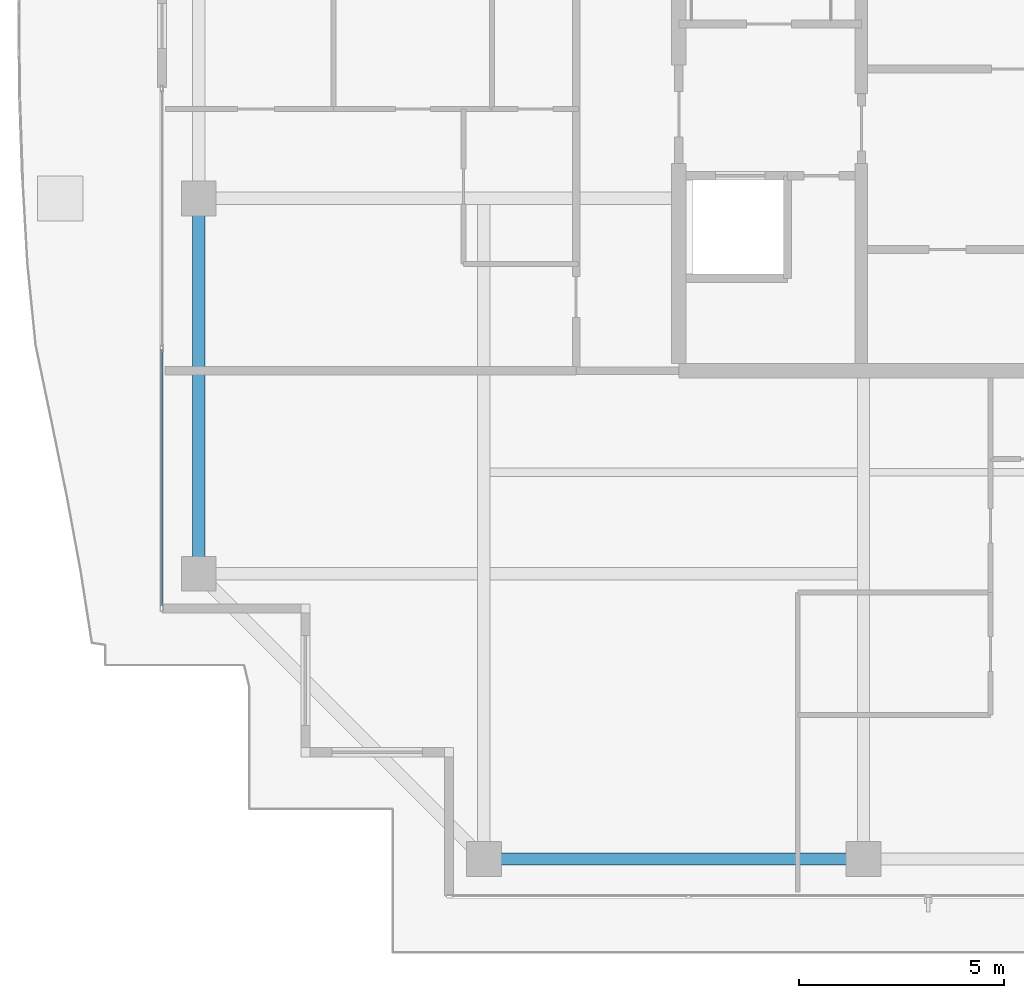
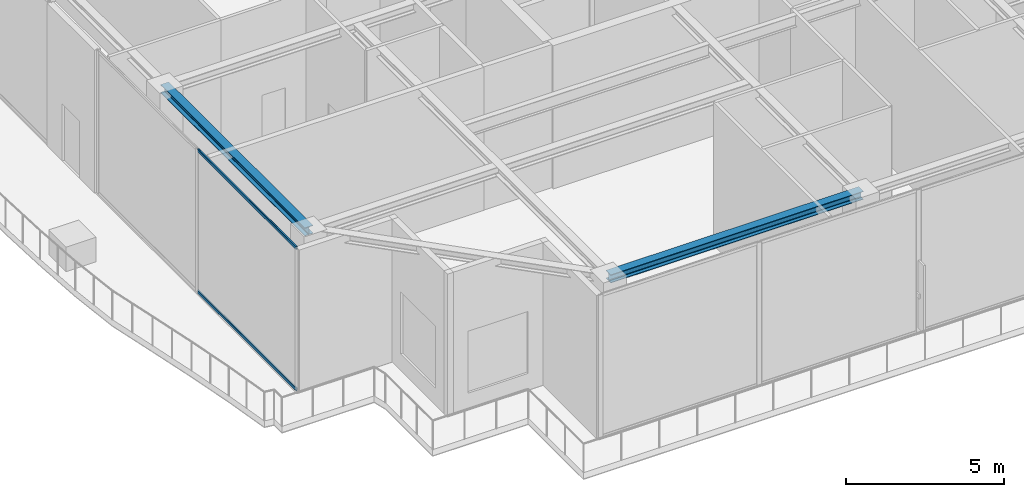
# One storey, part 3 of 38: 2 beams, 2 members, 1 element without a shape of its own.
"""IFC4 building model written with IfcOpenShell, lengths in metres."""

from ifc_helpers import new_model, si_unit, direction, frame, origin, origin_2d, place, context, subcontext, project, spatial, hollow_rectangle, i_section, extrude, source, transform, mapped, material, layer, layer_set, material_profile, profile_set, type_object, element, aggregate, save


model = new_model("IFC4")

# Units and contexts
model_context = context("Model", 3, precision=1e-05, world=origin(), true_north=direction((0.0, 1.0)))
body_context = subcontext(model_context, "Body", "Model", "MODEL_VIEW")
ifc_project = project(units=[si_unit("LENGTHUNIT", "METRE"), si_unit("AREAUNIT", "SQUARE_METRE"), si_unit("VOLUMEUNIT", "CUBIC_METRE"), si_unit("PLANEANGLEUNIT", "RADIAN"), si_unit("MASSUNIT", "GRAM", prefix="KILO")], contexts=[model_context])

# Site, building, storey
site_placement = place(None, origin())
site = spatial("IfcSite", under=ifc_project, at=site_placement, CompositionType="ELEMENT")
building_placement = place(site_placement, origin())
building = spatial("IfcBuilding", under=site, at=building_placement, Name="Serunith Strait Residences", CompositionType="ELEMENT")
storey_placement = place(building_placement, frame((0.0, 0.0, 353.85009765625)))
storey = spatial("IfcBuildingStorey", under=building, at=storey_placement, Name="L87", CompositionType="ELEMENT", Elevation=353.85009765625)

# Beams
ifc_material_1 = material(Name="Steel S355J2", Category="steel")
ifc_material_profile_1 = material_profile(ifc_material_1, i_section(OverallWidth=0.300048828125, OverallDepth=0.320068359375, WebThickness=0.011474609375, FlangeThickness=0.0205078125, FilletRadius=0.027099609375, at=origin_2d()), Name="HEB 320")
ifc_profile_set_1 = profile_set([ifc_material_profile_1], Name="Steel S355J2")
beam_type = type_object("IfcBeamType", Name="BM-HEB320", PredefinedType="BEAM", material=ifc_profile_set_1)
shared_shape_1 = source(origin(), body_context, "Body", "SweptSolid", [
    extrude(i_section(OverallWidth=0.300048828125, OverallDepth=0.320068359375, WebThickness=0.011474609375, FlangeThickness=0.0205078125, FilletRadius=0.027099609375, at=origin_2d()), origin(), (0.0, 0.0, 1.0), 9.25),
])
beam_1_placement = place(storey_placement, frame((18.64990234375, 4.89990234375, 5.376953125), z_axis=(1.0, 0.0, 0.0), x_axis=(0.0, 1.0, 0.0)))
element("IfcBeam", 1, at=beam_1_placement, inside=storey, type_object=beam_type, Name="L87 Perimeter Ring Beam 01", PredefinedType="BEAM", context=body_context, shape_type="MappedRepresentation", body=[
    mapped(shared_shape_1, transform((0.0, 0.0, 0.0), scale=1.0)),
])
shared_shape_2 = source(origin(), body_context, "Body", "SweptSolid", [
    extrude(i_section(OverallWidth=0.300048828125, OverallDepth=0.320068359375, WebThickness=0.011474609375, FlangeThickness=0.0205078125, FilletRadius=0.027099609375, at=origin_2d()), origin(), (0.0, 0.0, 1.0), 9.14990234375),
])
beam_2_placement = place(storey_placement, frame((11.699951171875, 21.0, 5.376953125), z_axis=(0.0, -1.0, 0.0), x_axis=(1.0, 0.0, 0.0)))
element("IfcBeam", 2, at=beam_2_placement, inside=storey, type_object=beam_type, Name="L87 Perimeter Ring Beam 15", PredefinedType="BEAM", context=body_context, shape_type="MappedRepresentation", body=[
    mapped(shared_shape_2, transform((0.0, 0.0, 0.0), scale=1.0)),
])

# Curtain wall, members
ifc_material_2 = material(Name="Brushed Stainless-Silver Aluminium", Category="aluminium")
ifc_layer = layer(ifc_material_2, 0.199951171875, Name="Brushed Stainless-Silver Aluminium")
ifc_layer_set = layer_set([ifc_layer], Name="Brushed Stainless-Silver Aluminium")
curtain_wall_type = type_object("IfcCurtainWallType", Name="CW-SYS5", PredefinedType="NOTDEFINED", material=ifc_layer_set)
curtain_wall_placement = place(storey_placement, origin())
curtain_wall = element("IfcCurtainWall", 3, at=curtain_wall_placement, inside=storey, type_object=curtain_wall_type, Name="L87 W Unitised Fritted Curtain Wall", PredefinedType="NOTDEFINED")
ifc_material_profile_2 = material_profile(ifc_material_2, hollow_rectangle(XDim=0.06005859375, YDim=0.1201171875, WallThickness=0.00341796875, InnerFilletRadius=0.00537109375, OuterFilletRadius=0.0087890625, at=origin_2d()), Name="ALU 120x60x3.5")
ifc_profile_set_2 = profile_set([ifc_material_profile_2], Name="Brushed Stainless-Silver Aluminium")
member_type = type_object("IfcMemberType", Name="CW-SYS5-TRAN", PredefinedType="USERDEFINED", material=ifc_profile_set_2)
shared_shape_3 = source(origin(), body_context, "Body", "SweptSolid", [
    extrude(hollow_rectangle(XDim=0.06005859375, YDim=0.1201171875, WallThickness=0.00341796875, InnerFilletRadius=0.00537109375, OuterFilletRadius=0.0087890625, at=origin_2d()), origin(), (0.0, 0.0, 1.0), 6.25244140625),
])
member_1_placement = place(storey_placement, frame((10.800048828125, 17.3173828125, 0.02978515625), z_axis=(0.0, -1.0, 0.0), x_axis=(1.0, 0.0, 0.0)))
member_1 = element("IfcMember", 4, at=member_1_placement, type_object=member_type, Name="CW-5 transom 2.1", ObjectType="TRANSOM", PredefinedType="USERDEFINED", context=body_context, shape_type="MappedRepresentation", body=[
    mapped(shared_shape_3, transform((0.0, 0.0, 0.0), scale=1.0)),
])
member_2_placement = place(storey_placement, frame((10.800048828125, 17.3173828125, 5.494873046875), z_axis=(0.0, -1.0, 0.0), x_axis=(1.0, 0.0, 0.0)))
member_2 = element("IfcMember", 5, at=member_2_placement, type_object=member_type, Name="CW-5 transom 2.2", ObjectType="TRANSOM", PredefinedType="USERDEFINED", context=body_context, shape_type="MappedRepresentation", body=[
    mapped(shared_shape_3, transform((0.0, 0.0, 0.0), scale=1.0)),
])
aggregate(curtain_wall, [member_1, member_2])

save(model, "model.ifc")
